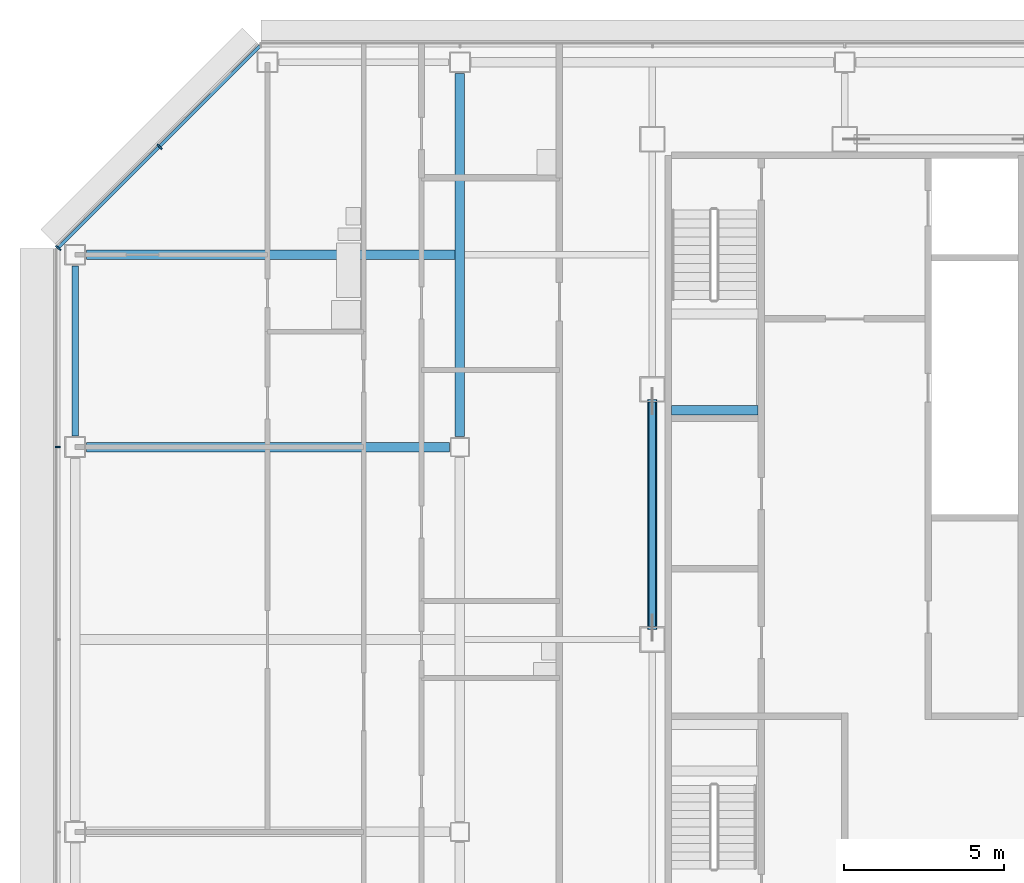
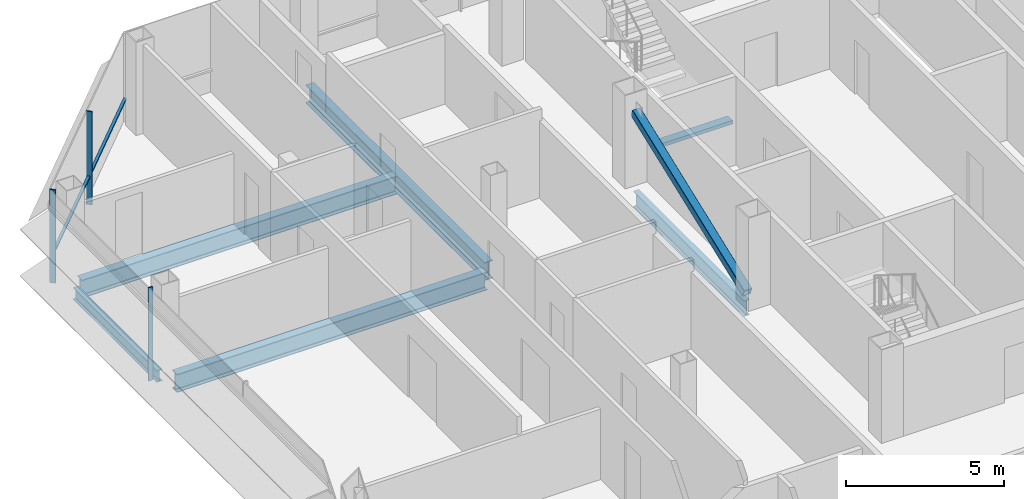
# One storey, part 11 of 29: 6 beams, 5 members, 2 elements without a shape of their own.
"""IFC4 building model written with IfcOpenShell, lengths in metres."""

from ifc_helpers import new_model, si_unit, direction, frame, origin, origin_2d, place, context, subcontext, project, spatial, rectangle, hollow_rectangle, i_section, extrude, material, material_profile, profile_set, type_object, element, aggregate, save


model = new_model("IFC4")

# Units and contexts
model_context = context("Model", 3, precision=1e-05, world=origin(), true_north=direction((0.0, 1.0)))
body_context = subcontext(model_context, "Body", "Model", "MODEL_VIEW")
ifc_project = project(units=[si_unit("LENGTHUNIT", "METRE"), si_unit("AREAUNIT", "SQUARE_METRE"), si_unit("VOLUMEUNIT", "CUBIC_METRE"), si_unit("PLANEANGLEUNIT", "RADIAN"), si_unit("MASSUNIT", "GRAM", prefix="KILO")], contexts=[model_context])

# Site, building, storey
site_placement = place(None, origin())
site = spatial("IfcSite", under=ifc_project, at=site_placement, CompositionType="ELEMENT")
building_placement = place(site_placement, origin())
building = spatial("IfcBuilding", under=site, at=building_placement, Name="Sorahane Residences", CompositionType="ELEMENT")
storey_placement = place(building_placement, frame((0.0, 0.0, 199.199951171875)))
storey = spatial("IfcBuildingStorey", under=building, at=storey_placement, Name="L46", CompositionType="ELEMENT", Elevation=199.199951171875)

# Member
ifc_material_1 = material(Name="Steel Q355B", Category="steel")
ifc_material_profile_1 = material_profile(ifc_material_1, hollow_rectangle(XDim=0.300048828125, YDim=0.300048828125, WallThickness=0.01611328125, InnerFilletRadius=0.008056640625, OuterFilletRadius=0.02392578125, at=origin_2d()), Name="RHS 300x300x16")
ifc_profile_set_1 = profile_set([ifc_material_profile_1], Name="Steel Q355B")
member_type_1 = type_object("IfcMemberType", Name="Core brace RHS 300x300x16 Q355B", PredefinedType="BRACE", material=ifc_profile_set_1)
member_1_placement = place(storey_placement, frame((6.0, 30.367919921875, 0.1376953125), z_axis=(0.0, 0.934335722983, 0.356394103147), x_axis=(-1.0, 0.0, 0.0)))
element("IfcMember", 1, at=member_1_placement, inside=storey, type_object=member_type_1, Name="Core brace L46 x6-2", PredefinedType="BRACE", context=body_context, shape_type="SweptSolid", body=[
    extrude(hollow_rectangle(XDim=0.300048828125, YDim=0.300048828125, WallThickness=0.01611328125, InnerFilletRadius=0.008056640625, OuterFilletRadius=0.02392578125, at=origin_2d()), origin(), (0.0, 0.0, 1.0), 7.560791015625),
])

# Curtain wall, member
ifc_material_2 = material(Name="Dark low-e glass and black anodised aluminium", Category="aluminium")
curtain_wall_type_1 = type_object("IfcCurtainWallType", Name="Curtain wall CW-1 Typical unitised wall", PredefinedType="NOTDEFINED", material=ifc_material_2)
curtain_wall_1_placement = place(storey_placement, origin())
curtain_wall_1 = element("IfcCurtainWall", 2, at=curtain_wall_1_placement, inside=storey, type_object=curtain_wall_type_1, Name="CW-1 curtain wall L46 W1", PredefinedType="NOTDEFINED")
ifc_material_3 = material(Name="Black anodised aluminium", Category="aluminium")
ifc_material_profile_2 = material_profile(ifc_material_3, rectangle(XDim=0.159912109375, YDim=0.050048828125, at=origin_2d()), Name="Curtain wall mullion CW-1 black anodised aluminium 50x160")
ifc_profile_set_2 = profile_set([ifc_material_profile_2], Name="Black anodised aluminium")
member_type_2 = type_object("IfcMemberType", Name="Curtain wall mullion CW-1 black anodised aluminium 50x160", PredefinedType="MULLION", material=ifc_profile_set_2)
member_2_placement = place(storey_placement, frame((-12.5400390625, 36.0, -0.179931640625), z_axis=(0.0, 0.0, 1.0), x_axis=(-1.0, 0.0, 0.0)))
member_2 = element("IfcMember", 3, at=member_2_placement, type_object=member_type_2, Name="CW-1 mullion L46 W1.2", PredefinedType="MULLION", context=body_context, shape_type="SweptSolid", body=[
    extrude(rectangle(XDim=0.159912109375, YDim=0.050048828125, at=origin_2d()), origin(), (0.0, 0.0, 1.0), 3.60009765625),
])
aggregate(curtain_wall_1, [member_2])

# Curtain wall, members
ifc_material_4 = material(Name="Dark low-e glass and black anodised aluminium", Category="aluminium")
curtain_wall_type_2 = type_object("IfcCurtainWallType", Name="Curtain wall CW-2 Chamfer unitised wall", PredefinedType="NOTDEFINED", material=ifc_material_4)
curtain_wall_2_placement = place(storey_placement, origin())
curtain_wall_2 = element("IfcCurtainWall", 4, at=curtain_wall_2_placement, inside=storey, type_object=curtain_wall_type_2, Name="CW-2 curtain wall L46 NW1", PredefinedType="NOTDEFINED")
ifc_material_5 = material(Name="Black anodised aluminium", Category="aluminium")
ifc_material_profile_3 = material_profile(ifc_material_5, rectangle(XDim=0.199951171875, YDim=0.050048828125, at=origin_2d()), Name="Curtain wall mullion CW-2 black anodised aluminium 50x200")
ifc_profile_set_3 = profile_set([ifc_material_profile_3], Name="Black anodised aluminium")
member_type_3 = type_object("IfcMemberType", Name="Curtain wall mullion CW-2 black anodised aluminium 50x200", PredefinedType="MULLION", material=ifc_profile_set_3)
member_3_placement = place(storey_placement, frame((-9.36767578125, 45.36767578125, -0.179931640625), z_axis=(0.0, 0.0, 1.0), x_axis=(-0.707106781187, 0.707106781187, 0.0)))
member_3 = element("IfcMember", 5, at=member_3_placement, type_object=member_type_3, Name="CW-2 mullion L46 NW1.2", PredefinedType="MULLION", context=body_context, shape_type="SweptSolid", body=[
    extrude(rectangle(XDim=0.199951171875, YDim=0.050048828125, at=origin_2d()), origin(), (0.0, 0.0, 1.0), 3.60009765625),
])
member_4_placement = place(storey_placement, frame((-12.525634765625, 42.209716796875, -0.179931640625), z_axis=(0.0, 0.0, 1.0), x_axis=(-0.707106781187, 0.707106781187, 0.0)))
member_4 = element("IfcMember", 6, at=member_4_placement, type_object=member_type_3, Name="CW-2 mullion L46 NW1.3", PredefinedType="MULLION", context=body_context, shape_type="SweptSolid", body=[
    extrude(rectangle(XDim=0.199951171875, YDim=0.050048828125, at=origin_2d()), origin(), (0.0, 0.0, 1.0), 3.60009765625),
])
ifc_material_6 = material(Name="Black anodised aluminium", Category="aluminium")
ifc_material_profile_4 = material_profile(ifc_material_6, rectangle(XDim=0.10009765625, YDim=0.06005859375, at=origin_2d()), Name="Curtain wall transom CW-2 black anodised aluminium 60x100")
ifc_profile_set_4 = profile_set([ifc_material_profile_4], Name="Black anodised aluminium")
member_type_4 = type_object("IfcMemberType", Name="Curtain wall transom CW-2 black anodised aluminium 60x100", PredefinedType="USERDEFINED", material=ifc_profile_set_4)
member_5_placement = place(storey_placement, frame((-6.234375, 48.51513671875, 0.900146484375), z_axis=(-0.707106781187, -0.707106781187, 0.0), x_axis=(0.707106781187, -0.707106781187, 0.0)))
member_5 = element("IfcMember", 7, at=member_5_placement, type_object=member_type_4, Name="CW-2 transom L46 NW1", ObjectType="TRANSOM", PredefinedType="USERDEFINED", context=body_context, shape_type="SweptSolid", body=[
    extrude(rectangle(XDim=0.10009765625, YDim=0.06005859375, at=origin_2d()), origin(), (0.0, 0.0, 1.0), 8.88232421875),
])
aggregate(curtain_wall_2, [member_3, member_4, member_5])

# Beams
ifc_material_7 = material(Name="Concrete C40", Category="concrete")
ifc_material_profile_5 = material_profile(ifc_material_7, rectangle(XDim=0.300048828125, YDim=0.139892578125, at=origin_2d()), Name="300x140")
ifc_profile_set_5 = profile_set([ifc_material_profile_5], Name="Concrete C40")
beam_type_1 = type_object("IfcBeamType", Name="RC landing beam 300 x 140 Concrete C40", PredefinedType="BEAM", material=ifc_profile_set_5)
beam_1_placement = place(storey_placement, frame((6.60009765625, 37.14990234375, 1.530029296875), z_axis=(1.0, 0.0, 0.0), x_axis=(0.0, 1.0, 0.0)))
element("IfcBeam", 8, at=beam_1_placement, inside=storey, type_object=beam_type_1, Name="Landing beam", PredefinedType="BEAM", context=body_context, shape_type="SweptSolid", body=[
    extrude(rectangle(XDim=0.300048828125, YDim=0.139892578125, at=origin_2d()), origin(), (0.0, 0.0, 1.0), 2.699951171875),
])
ifc_material_8 = material(Name="Steel Q355B", Category="steel")
ifc_material_profile_6 = material_profile(ifc_material_8, i_section(OverallWidth=0.199951171875, OverallDepth=0.449951171875, WebThickness=0.009033203125, FlangeThickness=0.013916015625, FilletRadius=0.02001953125, at=origin_2d()), Name="HN 450x200x9x14")
ifc_profile_set_6 = profile_set([ifc_material_profile_6], Name="Steel Q355B")
beam_type_2 = type_object("IfcBeamType", Name="Steel floor beam HN 450x200x9x14 Q355B", PredefinedType="BEAM", material=ifc_profile_set_6)
beam_2_placement = place(storey_placement, frame((-12.0, 36.35009765625, -0.405029296875), z_axis=(0.0, 1.0, 0.0), x_axis=(-1.0, 0.0, 0.0)))
element("IfcBeam", 9, at=beam_2_placement, inside=storey, type_object=beam_type_2, Name="Beam L46 022", PredefinedType="BEAM", context=body_context, shape_type="SweptSolid", body=[
    extrude(i_section(OverallWidth=0.199951171875, OverallDepth=0.449951171875, WebThickness=0.009033203125, FlangeThickness=0.013916015625, FilletRadius=0.02001953125, at=origin_2d()), origin(), (0.0, 0.0, 1.0), 5.2998046875),
])
ifc_material_9 = material(Name="Steel Q355B", Category="steel")
ifc_material_profile_7 = material_profile(ifc_material_9, i_section(OverallWidth=0.199951171875, OverallDepth=0.60009765625, WebThickness=0.010986328125, FlangeThickness=0.01708984375, FilletRadius=0.02392578125, at=origin_2d()), Name="HN 600x200x11x17")
ifc_profile_set_7 = profile_set([ifc_material_profile_7], Name="Steel Q355B")
beam_type_3 = type_object("IfcBeamType", Name="Steel floor beam HN 600x200x11x17 Q355B", PredefinedType="BEAM", material=ifc_profile_set_7)
beam_3_placement = place(storey_placement, frame((6.0, 30.39990234375, -0.47998046875), z_axis=(0.0, 1.0, 0.0), x_axis=(-1.0, 0.0, 0.0)))
element("IfcBeam", 10, at=beam_3_placement, inside=storey, type_object=beam_type_3, Name="Beam L46 030", PredefinedType="BEAM", context=body_context, shape_type="SweptSolid", body=[
    extrude(i_section(OverallWidth=0.199951171875, OverallDepth=0.60009765625, WebThickness=0.010986328125, FlangeThickness=0.01708984375, FilletRadius=0.02392578125, at=origin_2d()), origin(), (0.0, 0.0, 1.0), 7.0),
])
ifc_material_10 = material(Name="Steel Q355B", Category="steel")
ifc_material_profile_8 = material_profile(ifc_material_10, i_section(OverallWidth=0.300048828125, OverallDepth=0.699951171875, WebThickness=0.012939453125, FlangeThickness=0.02392578125, FilletRadius=0.028076171875, at=origin_2d()), Name="HN 700x300x13x24")
ifc_profile_set_8 = profile_set([ifc_material_profile_8], Name="Steel Q355B")
beam_type_4 = type_object("IfcBeamType", Name="Steel floor beam HN 700x300x13x24 Q355B", PredefinedType="BEAM", material=ifc_profile_set_8)
for number, where, z_axis, x_axis, name in (
    (11, (-11.64990234375, 36.0, -0.530029296875), (1.0, 0.0, 0.0), (0.0, 1.0, 0.0), "Beam L46 013"),
    (12, (0.0, 36.324951171875, -0.530029296875), (0.0, 1.0, 0.0), (-1.0, 0.0, 0.0), "Beam L46 026"),
):
    element("IfcBeam", number, at=place(storey_placement, frame(where, z_axis=z_axis, x_axis=x_axis)), inside=storey, type_object=beam_type_4, Name=name, PredefinedType="BEAM", context=body_context, shape_type="SweptSolid", body=[
        extrude(i_section(OverallWidth=0.300048828125, OverallDepth=0.699951171875, WebThickness=0.012939453125, FlangeThickness=0.02392578125, FilletRadius=0.028076171875, at=origin_2d()), origin(), (0.0, 0.0, 1.0), 11.324951171875),
    ])
beam_4_placement = place(storey_placement, frame((-11.64990234375, 42.0, -0.530029296875), z_axis=(1.0, 0.0, 0.0), x_axis=(0.0, 1.0, 0.0)))
element("IfcBeam", 13, at=beam_4_placement, inside=storey, type_object=beam_type_4, Name="Beam L46 085", PredefinedType="BEAM", context=body_context, shape_type="SweptSolid", body=[
    extrude(i_section(OverallWidth=0.300048828125, OverallDepth=0.699951171875, WebThickness=0.012939453125, FlangeThickness=0.02392578125, FilletRadius=0.028076171875, at=origin_2d()), origin(), (0.0, 0.0, 1.0), 11.5),
])

save(model, "model.ifc")
